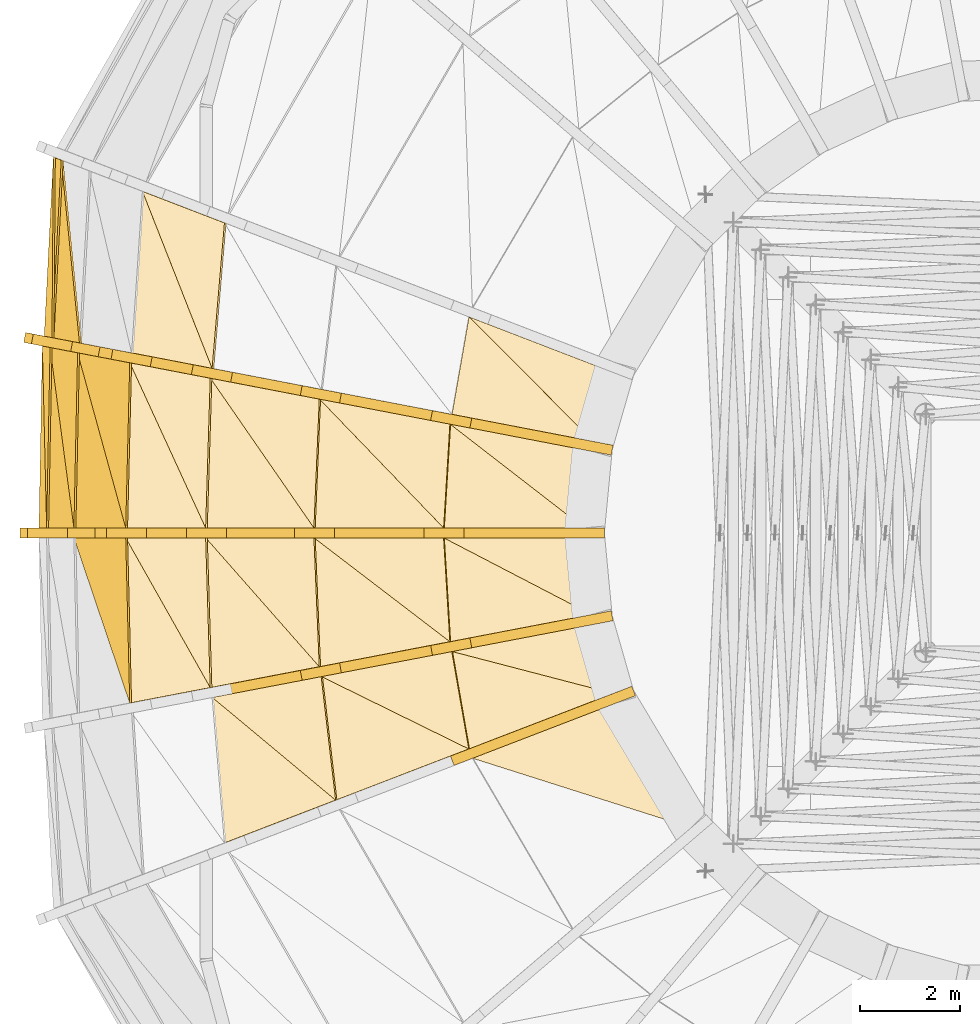
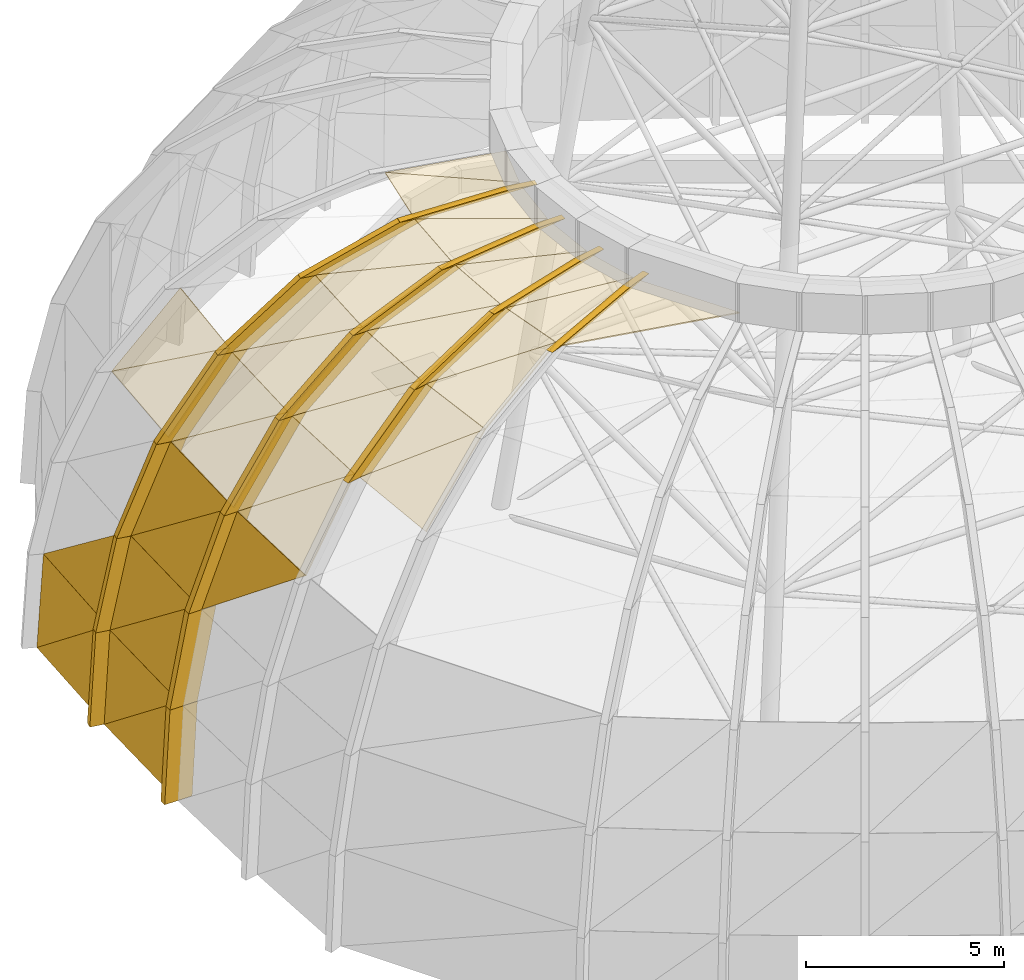
# One storey, part 20 of 27: 37 coverings, 18 shading devices.
"""IFC4 building model written with IfcOpenShell, lengths in metres."""

from ifc_helpers import new_model, si_unit, direction, frame, origin, place, context, subcontext, project, spatial, polyline, outline, extrude, material, layer, layer_set, type_object, element, save


model = new_model("IFC4")

# Units and contexts
model_context = context("Model", 3, precision=1e-05, world=origin(), true_north=direction((0.0, 1.0)))
body_context = subcontext(model_context, "Body", "Model", "MODEL_VIEW")
ifc_project = project(units=[si_unit("LENGTHUNIT", "METRE"), si_unit("AREAUNIT", "SQUARE_METRE"), si_unit("VOLUMEUNIT", "CUBIC_METRE"), si_unit("PLANEANGLEUNIT", "RADIAN"), si_unit("MASSUNIT", "GRAM", prefix="KILO")], contexts=[model_context])

# Site, building, storey
site_placement = place(None, origin())
site = spatial("IfcSite", under=ifc_project, at=site_placement, CompositionType="ELEMENT")
building_placement = place(site_placement, origin())
building = spatial("IfcBuilding", under=site, at=building_placement, Name="Ayvan Gate Tower", CompositionType="ELEMENT")
storey_placement = place(building_placement, frame((0.0, 0.0, 267.699951171875)))
storey = spatial("IfcBuildingStorey", under=building, at=storey_placement, Name="Roof", CompositionType="ELEMENT", Elevation=267.699951171875)

# Shading devices
ifc_material_1 = material(Name="Bronze anodised aluminium", Category="aluminium")
ifc_layer_1 = layer(ifc_material_1, 0.199951171875)
ifc_layer_set_1 = layer_set([ifc_layer_1], Name="Bronze anodised aluminium")
shading_device_type = type_object("IfcShadingDeviceType", Name="Crown frame rib 800 x 200", PredefinedType="USERDEFINED", material=ifc_layer_set_1)
shading_device_1_placement = place(storey_placement, frame((-19.595703125, 3.85986328125, 0.0), z_axis=(0.188275782984, 0.982116057593, 0.000528167227), x_axis=(-0.982116194577, 0.188275809253, -1.5174e-08)))
element("IfcShadingDevice", 1, at=shading_device_1_placement, inside=storey, type_object=shading_device_type, Name="CROWN FRAME rib FD01.4.2", ObjectType="FIN", PredefinedType="USERDEFINED", context=body_context, shape_type="SweptSolid", body=[
    extrude(outline(polyline([(0.0, 0.0), (0.7999550997210519, -1.3552527156068805e-20), (0.6432992665780491, 2.870117597586575), (-0.15689560760456925, 2.870117573305321), (0.0, 0.0)])), origin(), (0.0, 0.0, -1.0), 0.199951171875),
])
shading_device_2_placement = place(storey_placement, frame((-19.441650390625, 3.830322265625, 2.8701171875), z_axis=(0.188303995018, 0.982110625557, 0.000569761316), x_axis=(-0.982110784967, 0.188304025583, 0.0)))
element("IfcShadingDevice", 2, at=shading_device_2_placement, inside=storey, type_object=shading_device_type, Name="CROWN FRAME rib FD02.4.2", ObjectType="FIN", PredefinedType="USERDEFINED", context=body_context, shape_type="SweptSolid", body=[
    extrude(outline(polyline([(0.0, 0.0), (0.7999551000512035, 0.0), (0.24032950694037603, 2.776855919472568), (-0.5596255931108275, 2.776855919472568), (0.0, 0.0)])), origin(), (0.0, 0.0, -1.0), 0.199951171875),
])
shading_device_3_placement = place(storey_placement, frame((-18.89208984375, 3.724853515625, 5.64697265625), z_axis=(0.188303998844, 0.982110645511, 0.000532911113), x_axis=(-0.982110784967, 0.188304025583, 0.0)))
element("IfcShadingDevice", 3, at=shading_device_3_placement, inside=storey, type_object=shading_device_type, Name="CROWN FRAME rib FD03.4.2", ObjectType="FIN", PredefinedType="USERDEFINED", context=body_context, shape_type="SweptSolid", body=[
    extrude(outline(polyline([(0.0, 0.0), (0.7999551000512035, 0.0), (-0.2622832042668157, 2.6601566277346254), (-1.062238304318019, 2.6601566277346254), (0.0, 0.0)])), origin(), (0.0, 0.0, -1.0), 0.199951171875),
])
shading_device_4_placement = place(storey_placement, frame((-17.848876953125, 3.52490234375, 8.30712890625), z_axis=(0.188303983132, 0.982110563566, 0.000671468083), x_axis=(-0.982110784967, 0.188304025583, 0.0)))
element("IfcShadingDevice", 4, at=shading_device_4_placement, inside=storey, type_object=shading_device_type, Name="CROWN FRAME rib FD04.4.2", ObjectType="FIN", PredefinedType="USERDEFINED", context=body_context, shape_type="SweptSolid", body=[
    extrude(outline(polyline([(0.0, 0.0), (0.7999551000512035, 0.0), (-0.8382954064528134, 2.3798833490083324), (-1.638250506504017, 2.3798833490083324), (0.0, 0.0)])), origin(), (0.0, 0.0, -1.0), 0.199951171875),
])
shading_device_5_placement = place(storey_placement, frame((-16.239990234375, 3.21630859375, 10.68701171875), z_axis=(0.188303954244, 0.982110412898, 0.00087045633), x_axis=(-0.982110784967, 0.188304025583, 0.0)))
element("IfcShadingDevice", 5, at=shading_device_5_placement, inside=storey, type_object=shading_device_type, Name="CROWN FRAME rib FD05.4.2", ObjectType="FIN", PredefinedType="USERDEFINED", context=body_context, shape_type="SweptSolid", body=[
    extrude(outline(polyline([(0.0, 0.0), (0.7999551000512035, 0.0), (-1.4190012163026613, 1.8659675037915322), (-2.218956316353865, 1.8659675037915322), (0.0, 0.0)])), origin(), (0.0, 0.0, -1.0), 0.199951171875),
])
shading_device_6_placement = place(storey_placement, frame((-14.060791015625, 2.79833984375, 12.552978515625), z_axis=(0.188275613498, 0.982115173491, 0.001441998497), x_axis=(-0.982116194567, 0.188275809304, -4.1429e-08)))
element("IfcShadingDevice", 6, at=shading_device_6_placement, inside=storey, type_object=shading_device_type, Name="CROWN FRAME rib FD06.4.2", ObjectType="FIN", PredefinedType="USERDEFINED", context=body_context, shape_type="SweptSolid", body=[
    extrude(outline(polyline([(0.0, 0.0), (0.7999550997210524, 0.0), (-1.8562549591046695, 1.1201182751623995), (-2.656449833287286, 1.120118208869889), (0.0, 0.0)])), origin(), (0.0, 0.0, -1.0), 0.199951171875),
])
shading_device_7_placement = place(storey_placement, frame((-11.451904296875, 2.298095703125, 13.673095703125), z_axis=(0.188301439754, 0.982097298427, 0.005240630486), x_axis=(-0.982110784967, 0.188304025583, 0.0)))
element("IfcShadingDevice", 7, at=shading_device_7_placement, inside=storey, type_object=shading_device_type, Name="CROWN FRAME rib FD07.4.2", ObjectType="FIN", PredefinedType="USERDEFINED", context=body_context, shape_type="SweptSolid", body=[
    extrude(outline(polyline([(0.0, 0.0), (0.7999551000512035, -2.168404344971009e-19), (-2.07976428258455, 0.32690878605125406), (-2.8797193826357534, 0.32690878605125406), (0.0, 0.0)])), origin(), (0.0, 0.0, -1.0), 0.199951171875),
])
shading_device_8_placement = place(storey_placement, frame((-19.69384765625, 0.099853515625, 0.0), z_axis=(0.0, 0.999999869757, 0.000510377613), x_axis=(-1.0, 0.0, 0.0)))
element("IfcShadingDevice", 8, at=shading_device_8_placement, inside=storey, type_object=shading_device_type, Name="CROWN FRAME rib FD01.4.3", ObjectType="FIN", PredefinedType="USERDEFINED", context=body_context, shape_type="SweptSolid", body=[
    extrude(outline(polyline([(0.0, 0.0), (0.800048828125, 0.0), (0.647216796875, 2.8701175613117527), (-0.15283203125, 2.8701175613117527), (0.0, 0.0)])), origin(), (0.0, 0.0, -1.0), 0.199951171875),
])
shading_device_9_placement = place(storey_placement, frame((-19.541015625, 0.099853515625, 2.8701171875), z_axis=(0.0, 0.999999860862, 0.000527518829), x_axis=(-1.0, 0.0, 0.0)))
element("IfcShadingDevice", 9, at=shading_device_9_placement, inside=storey, type_object=shading_device_type, Name="CROWN FRAME rib FD02.4.3", ObjectType="FIN", PredefinedType="USERDEFINED", context=body_context, shape_type="SweptSolid", body=[
    extrude(outline(polyline([(0.0, 0.0), (0.800048828125, 0.0), (0.25439453125, 2.7768558551163567), (-0.545654296875, 2.7768558551163567), (0.0, 0.0)])), origin(), (0.0, 0.0, -1.0), 0.199951171875),
])
shading_device_10_placement = place(storey_placement, frame((-18.995361328125, 0.099853515625, 5.64697265625), z_axis=(0.0, 0.999999848386, 0.000550660709), x_axis=(-1.0, 0.0, 0.0)))
element("IfcShadingDevice", 10, at=shading_device_10_placement, inside=storey, type_object=shading_device_type, Name="CROWN FRAME rib FD03.4.3", ObjectType="FIN", PredefinedType="USERDEFINED", context=body_context, shape_type="SweptSolid", body=[
    extrude(outline(polyline([(0.0, 0.0), (0.800048828125, 0.0), (-0.23583984375, 2.6601566533159797), (-1.035888671875, 2.6601566533159797), (0.0, 0.0)])), origin(), (0.0, 0.0, -1.0), 0.199951171875),
])
shading_device_11_placement = place(storey_placement, frame((-17.95947265625, 0.099853515625, 8.30712890625), z_axis=(0.0, 0.999999810573, 0.000615510757), x_axis=(-1.0, 0.0, 0.0)))
element("IfcShadingDevice", 11, at=shading_device_11_placement, inside=storey, type_object=shading_device_type, Name="CROWN FRAME rib FD04.4.3", ObjectType="FIN", PredefinedType="USERDEFINED", context=body_context, shape_type="SweptSolid", body=[
    extrude(outline(polyline([(0.0, 0.0), (0.800048828125, 0.0), (-0.79736328125, 2.3798832633135856), (-1.597412109375, 2.3798832633135856), (0.0, 0.0)])), origin(), (0.0, 0.0, -1.0), 0.199951171875),
])
shading_device_12_placement = place(storey_placement, frame((-16.362060546875, 0.099853515625, 10.68701171875), z_axis=(0.0, 0.999999691862, 0.000785031814), x_axis=(-1.0, 0.0, 0.0)))
element("IfcShadingDevice", 12, at=shading_device_12_placement, inside=storey, type_object=shading_device_type, Name="CROWN FRAME rib FD05.4.3", ObjectType="FIN", PredefinedType="USERDEFINED", context=body_context, shape_type="SweptSolid", body=[
    extrude(outline(polyline([(0.0, 0.0), (0.800048828125, 0.0), (-1.36376953125, 1.8659673718495613), (-2.163818359375, 1.8659673718495613), (0.0, 0.0)])), origin(), (0.0, 0.0, -1.0), 0.199951171875),
])
shading_device_13_placement = place(storey_placement, frame((-14.1982421875, 0.099853515625, 12.552978515625), z_axis=(0.0, 0.999999144884, 0.001307758254), x_axis=(-1.0, 0.0, 0.0)))
element("IfcShadingDevice", 13, at=shading_device_13_placement, inside=storey, type_object=shading_device_type, Name="CROWN FRAME rib FD06.4.3", ObjectType="FIN", PredefinedType="USERDEFINED", context=body_context, shape_type="SweptSolid", body=[
    extrude(outline(polyline([(0.0, 0.0), (0.800048828125, 0.0), (-1.7900390625, 1.1201181453311617), (-2.590087890625, 1.1201181453311617), (0.0, 0.0)])), origin(), (0.0, 0.0, -1.0), 0.199951171875),
])
shading_device_14_placement = place(storey_placement, frame((-11.608154296875, 0.099853515625, 13.673095703125), z_axis=(0.0, 0.999989960668, 0.004480910951), x_axis=(-1.0, 0.0, 0.0)))
element("IfcShadingDevice", 14, at=shading_device_14_placement, inside=storey, type_object=shading_device_type, Name="CROWN FRAME rib FD07.4.3", ObjectType="FIN", PredefinedType="USERDEFINED", context=body_context, shape_type="SweptSolid", body=[
    extrude(outline(polyline([(0.0, 0.0), (0.800048828125, 0.0), (-2.008056640625, 0.326907578808675), (-2.80810546875, 0.326907578808675), (0.0, 0.0)])), origin(), (0.0, 0.0, -1.0), 0.199951171875),
])
shading_device_15_placement = place(storey_placement, frame((-16.277587890625, -3.02001953125, 10.68701171875), z_axis=(-0.188303976666, 0.982110529842, 0.000720794948), x_axis=(-0.982110784967, -0.188304025583, 0.0)))
element("IfcShadingDevice", 15, at=shading_device_15_placement, inside=storey, type_object=shading_device_type, Name="CROWN FRAME rib FD05.4.4", ObjectType="FIN", PredefinedType="USERDEFINED", context=body_context, shape_type="SweptSolid", body=[
    extrude(outline(polyline([(0.0, 0.0), (0.7999551000512035, 1.3552527156068805e-20), (-1.4189290906344345, 1.8659672816023825), (-2.218884190685638, 1.8659672816023825), (0.0, 0.0)])), origin(), (0.0, 0.0, -1.0), 0.199951171875),
])
shading_device_16_placement = place(storey_placement, frame((-14.098388671875, -2.60205078125, 12.552978515625), z_axis=(-0.188303867085, 0.982109958313, 0.001297467895), x_axis=(-0.982110784967, -0.188304025583, 0.0)))
element("IfcShadingDevice", 16, at=shading_device_16_placement, inside=storey, type_object=shading_device_type, Name="CROWN FRAME rib FD06.4.4", ObjectType="FIN", PredefinedType="USERDEFINED", context=body_context, shape_type="SweptSolid", body=[
    extrude(outline(polyline([(0.0, 0.0), (0.7999551000512035, 2.710505431213761e-20), (-1.8564226058112054, 1.1201181303166743), (-2.656377705862409, 1.1201181303166743), (0.0, 0.0)])), origin(), (0.0, 0.0, -1.0), 0.199951171875),
])
shading_device_17_placement = place(storey_placement, frame((-11.489501953125, -2.101806640625, 13.673095703125), z_axis=(-0.188274548656, 0.982109618879, 0.003659348779), x_axis=(-0.982116194651, -0.188275808867, -1.05102e-07)))
element("IfcShadingDevice", 17, at=shading_device_17_placement, inside=storey, type_object=shading_device_type, Name="CROWN FRAME rib FD07.4.4", ObjectType="FIN", PredefinedType="USERDEFINED", context=body_context, shape_type="SweptSolid", body=[
    extrude(outline(polyline([(0.0, 0.0), (0.8001948741826233, 0.0), (-2.079692226502236, 0.3269062670768493), (-2.8796473262232745, 0.32690609889725214), (0.0, 0.0)])), origin(), (0.0, 0.0, -1.0), 0.199951171875),
])
shading_device_18_placement = place(storey_placement, frame((-11.13134765625, -4.179443359375, 13.673095703125), z_axis=(-0.35920237825, 0.933254777136, 0.003028599059), x_axis=(-0.933259057264, -0.359204025638, 0.0)))
element("IfcShadingDevice", 18, at=shading_device_18_placement, inside=storey, type_object=shading_device_type, Name="CROWN FRAME rib FD07.4.5", ObjectType="FIN", PredefinedType="USERDEFINED", context=body_context, shape_type="SweptSolid", body=[
    extrude(outline(polyline([(0.0, 0.0), (0.7999729822484152, -1.0842021724855044e-19), (-2.2896658529203373, 0.3269057961358038), (-3.0896388351687523, 0.3269057961358038), (0.0, 0.0)])), origin(), (0.0, 0.0, -1.0), 0.199951171875),
])

# Coverings
ifc_material_2 = material(Name="Pale metal cladding")
ifc_layer_2 = layer(ifc_material_2, 0.0400390625)
ifc_layer_set_2 = layer_set([ifc_layer_2], Name="Pale metal cladding")
covering_type = type_object("IfcCoveringType", Name="Dome cladding panel 40", PredefinedType="CLADDING", material=ifc_layer_set_2)
covering_1_placement = place(storey_placement, frame((-19.413818359375, -0.1005859375, 5.654296875), z_axis=(-0.931630745456, -0.022648822527, 0.362699855197), x_axis=(0.254432202252, -0.753277399493, 0.60649601307)))
element("IfcCovering", 19, at=covering_1_placement, inside=storey, type_object=covering_type, Name="Dome cladding panel 1.3B", PredefinedType="CLADDING", context=body_context, shape_type="SweptSolid", body=[
    extrude(outline(polyline([(0.0, 0.0), (4.386106738829949, 0.0), (1.8768754786050368, 2.150890352233979), (0.0, 0.0)])), origin(), (0.0, 0.0, -1.0), 0.0400390625),
])
covering_2_placement = place(storey_placement, frame((-18.376220703125, -0.1005859375, 8.318359375), z_axis=(-0.827071304346, -0.020106883849, 0.561737279116), x_axis=(0.024303762651, -0.999704619936, 0.0)))
element("IfcCovering", 20, at=covering_2_placement, inside=storey, type_object=covering_type, Name="Dome cladding panel 1.4A", PredefinedType="CLADDING", context=body_context, shape_type="SweptSolid", body=[
    extrude(outline(polyline([(0.0, 0.0), (3.304931288941286, -6.938893903907228e-18), (3.0355306923281615, 2.8766320752029806), (0.0, 0.0)])), origin(), (0.0, 0.0, -1.0), 0.0400390625),
])
covering_3_placement = place(storey_placement, frame((-18.376220703125, -0.1005859375, 8.318359375), z_axis=(-0.829996714296, -0.025368715287, 0.557191064665), x_axis=(0.403919852189, -0.716244062222, 0.569072224186)))
element("IfcCovering", 21, at=covering_3_placement, inside=storey, type_object=covering_type, Name="Dome cladding panel 1.4B", PredefinedType="CLADDING", context=body_context, shape_type="SweptSolid", body=[
    extrude(outline(polyline([(0.0, 0.0), (4.18204001417405, 2.220446049250313e-16), (1.9996502817602502, 2.0537152784777946), (0.0, 0.0)])), origin(), (0.0, 0.0, -1.0), 0.0400390625),
])
covering_4_placement = place(storey_placement, frame((-16.77490234375, -0.1005859375, 10.7021484375), z_axis=(-0.648083448253, -0.019808565743, 0.761311673905), x_axis=(0.030550571227, -0.999533222358, 0.0)))
element("IfcCovering", 22, at=covering_4_placement, inside=storey, type_object=covering_type, Name="Dome cladding panel 1.5A", PredefinedType="CLADDING", context=body_context, shape_type="SweptSolid", body=[
    extrude(outline(polyline([(0.0, 0.0), (2.9967601487603743, -1.3877787807814457e-17), (2.645562278178148, 2.8778636614189406), (0.0, 0.0)])), origin(), (0.0, 0.0, -1.0), 0.0400390625),
])
covering_5_placement = place(storey_placement, frame((-16.77490234375, -0.1005859375, 10.7021484375), z_axis=(-0.652862846267, -0.027148507105, 0.756989473194), x_axis=(0.580887995354, -0.659330670567, 0.477338667723)))
element("IfcCovering", 23, at=covering_5_placement, inside=storey, type_object=covering_type, Name="Dome cladding panel 1.5B", PredefinedType="CLADDING", context=body_context, shape_type="SweptSolid", body=[
    extrude(outline(polyline([(0.0, 0.0), (3.909104631681632, -1.1102230246251565e-16), (2.147492395563256, 1.8844526786517113), (0.0, 0.0)])), origin(), (0.0, 0.0, -1.0), 0.0400390625),
])
covering_6_placement = place(storey_placement, frame((-14.606201171875, -0.100341796875, 12.5712890625), z_axis=(-0.391858667183, -0.016294965889, 0.919881111362), x_axis=(0.041547876265, -0.999136514185, 0.0)))
element("IfcCovering", 24, at=covering_6_placement, inside=storey, type_object=covering_type, Name="Dome cladding panel 1.6A", PredefinedType="CLADDING", context=body_context, shape_type="SweptSolid", body=[
    extrude(outline(polyline([(0.0, 0.0), (2.5796200434404275, -1.3877787807814457e-17), (2.187947485776792, 2.856004156401276), (0.0, 0.0)])), origin(), (0.0, 0.0, -1.0), 0.0400390625),
])
covering_7_placement = place(storey_placement, frame((-14.6064453125, -0.1005859375, 12.5712890625), z_axis=(-0.396789191533, -0.02397433225, 0.917596626452), x_axis=(0.75486431423, -0.577277123441, 0.311337421223)))
element("IfcCovering", 25, at=covering_7_placement, inside=storey, type_object=covering_type, Name="Dome cladding panel 1.6B", PredefinedType="CLADDING", context=body_context, shape_type="SweptSolid", body=[
    extrude(outline(polyline([(0.0, 0.0), (3.597759572553223, 1.6653345369377348e-16), (2.304083609021769, 1.6296261130976892), (0.0, 0.0)])), origin(), (0.0, 0.0, -1.0), 0.0400390625),
])
covering_8_placement = place(storey_placement, frame((-12.01025390625, -0.100341796875, 13.69287109375), z_axis=(-0.113515758098, -0.006858716312, 0.993512521649), x_axis=(0.060310842502, -0.998179644291, 0.0)))
element("IfcCovering", 26, at=covering_8_placement, inside=storey, type_object=covering_type, Name="Dome cladding panel 1.7A", PredefinedType="CLADDING", context=body_context, shape_type="SweptSolid", body=[
    extrude(outline(polyline([(0.0, 0.0), (2.080691896247236, 0.0), (1.7100239568959106, 2.8745719558276264), (0.0, 0.0)])), origin(), (0.0, 0.0, -1.0), 0.0400390625),
])
covering_9_placement = place(storey_placement, frame((-12.01025390625, -0.100341796875, 13.69287109375), z_axis=(-0.11562664778, -0.010981404506, 0.993232040904), x_axis=(0.883132762212, -0.458829039033, 0.097736570675)))
element("IfcCovering", 27, at=covering_9_placement, inside=storey, type_object=covering_type, Name="Dome cladding panel 1.7B", PredefinedType="CLADDING", context=body_context, shape_type="SweptSolid", body=[
    extrude(outline(polyline([(0.0, 0.0), (3.344748998413575, 1.3877787807814457e-17), (2.5118804441156013, 1.2972198647139994), (0.0, 0.0)])), origin(), (0.0, 0.0, -1.0), 0.0400390625),
])
covering_10_placement = place(storey_placement, frame((-16.6455078125, -3.292724609375, 10.702392578125), z_axis=(-0.630067669272, -0.053478862812, 0.774696549218), x_axis=(0.084573867219, -0.996417212308, 0.0)))
element("IfcCovering", 28, at=covering_10_placement, inside=storey, type_object=covering_type, Name="Dome cladding panel 2.5A", PredefinedType="CLADDING", context=body_context, shape_type="SweptSolid", body=[
    extrude(outline(polyline([(0.0, 0.0), (2.9213552675717223, -2.7755575615628914e-17), (2.256847523374575, 2.9509234081925313), (0.0, 0.0)])), origin(), (0.0, 0.0, -1.0), 0.0400390625),
])
covering_11_placement = place(storey_placement, frame((-16.6455078125, -3.293212890625, 10.702392578125), z_axis=(-0.640243220377, -0.074950987994, 0.764507009883), x_axis=(0.664533626939, -0.553274189597, 0.502277542593)))
element("IfcCovering", 29, at=covering_11_placement, inside=storey, type_object=covering_type, Name="Dome cladding panel 2.5B", PredefinedType="CLADDING", context=body_context, shape_type="SweptSolid", body=[
    extrude(outline(polyline([(0.0, 0.0), (3.7150114003567447, -1.1102230246251565e-16), (2.1541330565201884, 1.9403994364109964), (0.0, 0.0)])), origin(), (0.0, 0.0, -1.0), 0.0400390625),
])
covering_12_placement = place(storey_placement, frame((-14.461181640625, -2.874755859375, 12.571533203125), z_axis=(-0.373445529044, -0.043717934799, 0.926621378457), x_axis=(0.11627241046, -0.993217361188, 0.0)))
element("IfcCovering", 30, at=covering_12_placement, inside=storey, type_object=covering_type, Name="Dome cladding panel 2.6A", PredefinedType="CLADDING", context=body_context, shape_type="SweptSolid", body=[
    extrude(outline(polyline([(0.0, 0.0), (2.4902793371592, 5.551115123125783e-17), (1.7822736088766962, 2.979068567341905), (0.0, 0.0)])), origin(), (0.0, 0.0, -1.0), 0.0400390625),
])
covering_13_placement = place(storey_placement, frame((-14.461181640625, -2.875, 12.5712890625), z_axis=(-0.382801219106, -0.066780475669, 0.92141391064), x_axis=(0.849480093358, -0.417461199948, 0.322660374893)))
element("IfcCovering", 31, at=covering_13_placement, inside=storey, type_object=covering_type, Name="Dome cladding panel 2.6B", PredefinedType="CLADDING", context=body_context, shape_type="SweptSolid", body=[
    extrude(outline(polyline([(0.0, 0.0), (3.4715052564878692, -5.551115123125783e-17), (2.3687822458348813, 1.643188150228133), (0.0, 0.0)])), origin(), (0.0, 0.0, -1.0), 0.0400390625),
])
covering_14_placement = place(storey_placement, frame((-11.846923828125, -2.3740234375, 13.69287109375), z_axis=(-0.10563005911, -0.01842738539, 0.99423474194), x_axis=(0.171856595453, -0.985121977523, 0.0)))
element("IfcCovering", 32, at=covering_14_placement, inside=storey, type_object=covering_type, Name="Dome cladding panel 2.7A", PredefinedType="CLADDING", context=body_context, shape_type="SweptSolid", body=[
    extrude(outline(polyline([(0.0, 0.0), (1.9789050849582814, 0.0), (1.3808281221892824, 3.048759132693032), (0.0, 0.0)])), origin(), (0.0, 0.0, -1.0), 0.0400390625),
])
covering_15_placement = place(storey_placement, frame((-11.846923828125, -2.374267578125, 13.69287109375), z_axis=(-0.108873337324, -0.031142391012, 0.993567686623), x_axis=(0.963102001757, -0.250787296981, 0.097674284659)))
element("IfcCovering", 33, at=covering_15_placement, inside=storey, type_object=covering_type, Name="Dome cladding panel 2.7B", PredefinedType="CLADDING", context=body_context, shape_type="SweptSolid", body=[
    extrude(outline(polyline([(0.0, 0.0), (3.346881914888535, 2.1510571102112408e-16), (2.6196557816466752, 1.2396959625652995), (0.0, 0.0)])), origin(), (0.0, 0.0, -1.0), 0.0400390625),
])
covering_16_placement = place(storey_placement, frame((-11.434814453125, -4.5107421875, 13.69287109375), z_axis=(-0.091692734025, -0.054630602567, 0.994287654449), x_axis=(0.950622926117, -0.302101819857, 0.071067170904)))
element("IfcCovering", 34, at=covering_16_placement, inside=storey, type_object=covering_type, Name="Dome cladding panel 3.7B", PredefinedType="CLADDING", context=body_context, shape_type="SweptSolid", body=[
    extrude(outline(polyline([(0.0, 0.0), (4.599934016148385, -2.6020852139652106e-16), (2.428724761369864, 1.9376445598528358), (0.0, 0.0)])), origin(), (0.0, 0.0, -1.0), 0.0400390625),
])
covering_17_placement = place(storey_placement, frame((-19.82666015625, 7.52099609375, 0.0009765625), z_axis=(-0.997255640464, 0.050596257978, 0.054048184446), x_axis=(-0.050670321335, -0.998715434213, 0.0)))
element("IfcCovering", 35, at=covering_17_placement, inside=storey, type_object=covering_type, Name="Dome cladding panel 29.1A", PredefinedType="CLADDING", context=body_context, shape_type="SweptSolid", body=[
    extrude(outline(polyline([(0.0, 0.0), (3.5895719788530975, -1.734723475976807e-18), (3.6112691455467427, 2.8743184965332125), (0.0, 0.0)])), origin(), (0.0, 0.0, -1.0), 0.0400390625),
])
covering_18_placement = place(storey_placement, frame((-19.82666015625, 7.52099609375, 0.001220703125), z_axis=(-0.99710409807, 0.051851878975, 0.055630928976), x_axis=(-0.006030104085, -0.783120096363, 0.621841259902)))
element("IfcCovering", 36, at=covering_18_placement, inside=storey, type_object=covering_type, Name="Dome cladding panel 29.1B", PredefinedType="CLADDING", context=body_context, shape_type="SweptSolid", body=[
    extrude(outline(polyline([(0.0, 0.0), (4.6155142358236585, 0.0), (1.8312261421822686, 2.216414422219176), (0.0, 0.0)])), origin(), (0.0, 0.0, -1.0), 0.0400390625),
])
covering_19_placement = place(storey_placement, frame((-19.669189453125, 7.46044921875, 2.8740234375), z_axis=(-0.97933117928, 0.050927643245, 0.195746817197), x_axis=(-0.051932301296, -0.998650607611, 0.0)))
element("IfcCovering", 37, at=covering_19_placement, inside=storey, type_object=covering_type, Name="Dome cladding panel 29.2A", PredefinedType="CLADDING", context=body_context, shape_type="SweptSolid", body=[
    extrude(outline(polyline([(0.0, 0.0), (3.558757238055775, 6.938893903907228e-18), (3.635299914243218, 2.831634956372116), (0.0, 0.0)])), origin(), (0.0, 0.0, -1.0), 0.0400390625),
])
covering_20_placement = place(storey_placement, frame((-18.042236328125, 6.83544921875, 8.318359375), z_axis=(-0.823875200914, 0.054978914291, 0.564098371121), x_axis=(-0.066583999971, -0.997780823101, 0.0)))
element("IfcCovering", 38, at=covering_20_placement, inside=storey, type_object=covering_type, Name="Dome cladding panel 29.4A", PredefinedType="CLADDING", context=body_context, shape_type="SweptSolid", body=[
    extrude(outline(polyline([(0.0, 0.0), (3.2413239305643726, 0.0), (3.442106743207913, 2.8822343831980533), (0.0, 0.0)])), origin(), (0.0, 0.0, -1.0), 0.0400390625),
])
covering_21_placement = place(storey_placement, frame((-18.042236328125, 6.835693359375, 8.318603515625), z_axis=(-0.81279146159, 0.068982301168, 0.578456119418), x_axis=(0.310296152143, -0.789118027295, 0.53010285508)))
element("IfcCovering", 39, at=covering_21_placement, inside=storey, type_object=covering_type, Name="Dome cladding panel 29.4B", PredefinedType="CLADDING", context=body_context, shape_type="SweptSolid", body=[
    extrude(outline(polyline([(0.0, 0.0), (4.489473674199065, 0.0), (2.2689112592839367, 1.8986417652625525), (0.0, 0.0)])), origin(), (0.0, 0.0, -1.0), 0.0400390625),
])
covering_22_placement = place(storey_placement, frame((-11.5068359375, 4.323486328125, 13.69287109375), z_axis=(-0.111135786192, 0.019385443297, 0.993616143999), x_axis=(-0.171835711182, -0.9851256206, 0.0)))
element("IfcCovering", 40, at=covering_22_placement, inside=storey, type_object=covering_type, Name="Dome cladding panel 29.7A", PredefinedType="CLADDING", context=body_context, shape_type="SweptSolid", body=[
    extrude(outline(polyline([(0.0, 0.0), (1.9791455936983138, 0.0), (2.027343622269024, 2.89773266891905), (0.0, 0.0)])), origin(), (0.0, 0.0, -1.0), 0.0400390625),
])
covering_23_placement = place(storey_placement, frame((-11.506591796875, 4.323486328125, 13.69287109375), z_axis=(-0.101555463472, 0.029054302061, 0.994405518574), x_axis=(0.703526857964, -0.704631404106, 0.092436705212)))
element("IfcCovering", 41, at=covering_23_placement, inside=storey, type_object=covering_type, Name="Dome cladding panel 29.7B", PredefinedType="CLADDING", context=body_context, shape_type="SweptSolid", body=[
    extrude(outline(polyline([(0.0, 0.0), (3.536520434449037, -1.8041124150158794e-16), (2.8410860758575347, 1.2575374015856646), (0.0, 0.0)])), origin(), (0.0, 0.0, -1.0), 0.0400390625),
])
covering_24_placement = place(storey_placement, frame((-20.046142578125, 3.7392578125, 0.0009765625), z_axis=(-0.998412102144, 0.01862184263, 0.053164849944), x_axis=(-0.018648215882, -0.999826106903, 0.0)))
element("IfcCovering", 42, at=covering_24_placement, inside=storey, type_object=covering_type, Name="Dome cladding panel 30.1A", PredefinedType="CLADDING", context=body_context, shape_type="SweptSolid", body=[
    extrude(outline(polyline([(0.0, 0.0), (3.6395489080570065, 0.0), (3.6366988633445945, 2.8741820013708335), (0.0, 0.0)])), origin(), (0.0, 0.0, -1.0), 0.0400390625),
])
covering_25_placement = place(storey_placement, frame((-20.046142578125, 3.7392578125, 0.0009765625), z_axis=(-0.998375579013, 0.019043690022, 0.053698613582), x_axis=(0.018328901995, -0.785035299507, 0.61917980416)))
element("IfcCovering", 43, at=covering_25_placement, inside=storey, type_object=covering_type, Name="Dome cladding panel 30.1B", PredefinedType="CLADDING", context=body_context, shape_type="SweptSolid", body=[
    extrude(outline(polyline([(0.0, 0.0), (4.635353362976324, 4.440892098500626e-16), (1.8031284807621255, 2.2384883530996738), (0.0, 0.0)])), origin(), (0.0, 0.0, -1.0), 0.0400390625),
])
covering_26_placement = place(storey_placement, frame((-19.891845703125, 3.709716796875, 2.8740234375), z_axis=(-0.981047272473, 0.018713158201, 0.192862818819), x_axis=(-0.019071206175, -0.999818128009, 0.0)))
element("IfcCovering", 44, at=covering_26_placement, inside=storey, type_object=covering_type, Name="Dome cladding panel 30.2A", PredefinedType="CLADDING", context=body_context, shape_type="SweptSolid", body=[
    extrude(outline(polyline([(0.0, 0.0), (3.610031563628789, 0.0), (3.5996206219763476, 2.8299863976149484), (0.0, 0.0)])), origin(), (0.0, 0.0, -1.0), 0.0400390625),
])
covering_27_placement = place(storey_placement, frame((-19.891845703125, 3.709716796875, 2.8740234375), z_axis=(-0.980606024689, 0.020360966789, 0.194928846954), x_axis=(0.104185162066, -0.788266855674, 0.606449351761)))
element("IfcCovering", 45, at=covering_27_placement, inside=storey, type_object=covering_type, Name="Dome cladding panel 30.2B", PredefinedType="CLADDING", context=body_context, shape_type="SweptSolid", body=[
    extrude(outline(polyline([(0.0, 0.0), (4.578874494113484, -4.440892098500626e-16), (1.8244412093636595, 2.1669677938368137), (0.0, 0.0)])), origin(), (0.0, 0.0, -1.0), 0.0400390625),
])
covering_28_placement = place(storey_placement, frame((-19.341064453125, 3.604248046875, 5.654296875), z_axis=(-0.931695396398, 0.019345403298, 0.362725024919), x_axis=(-0.020759182168, -0.999784504959, 0.0)))
element("IfcCovering", 46, at=covering_28_placement, inside=storey, type_object=covering_type, Name="Dome cladding panel 30.3A", PredefinedType="CLADDING", context=body_context, shape_type="SweptSolid", body=[
    extrude(outline(polyline([(0.0, 0.0), (3.5046614871715778, 3.469446951953614e-18), (3.4831623536858793, 2.854562778567229), (0.0, 0.0)])), origin(), (0.0, 0.0, -1.0), 0.0400390625),
])
covering_29_placement = place(storey_placement, frame((-19.341064453125, 3.604248046875, 5.654296875), z_axis=(-0.930154556997, 0.022612934992, 0.366471220247), x_axis=(0.213812369125, -0.778051501442, 0.590694618151)))
element("IfcCovering", 47, at=covering_29_placement, inside=storey, type_object=covering_type, Name="Dome cladding panel 30.3B", PredefinedType="CLADDING", context=body_context, shape_type="SweptSolid", body=[
    extrude(outline(polyline([(0.0, 0.0), (4.503437424780766, 0.0), (1.9499641094560478, 2.0981765541888273), (0.0, 0.0)])), origin(), (0.0, 0.0, -1.0), 0.0400390625),
])
covering_30_placement = place(storey_placement, frame((-18.2958984375, 3.404296875, 8.318359375), z_axis=(-0.830094845565, 0.020180388989, 0.557256941873), x_axis=(-0.024303762651, -0.999704619936, 0.0)))
element("IfcCovering", 48, at=covering_30_placement, inside=storey, type_object=covering_type, Name="Dome cladding panel 30.4A", PredefinedType="CLADDING", context=body_context, shape_type="SweptSolid", body=[
    extrude(outline(polyline([(0.0, 0.0), (3.304931288941286, 0.0), (3.266102230643057, 2.8661542175236576), (0.0, 0.0)])), origin(), (0.0, 0.0, -1.0), 0.0400390625),
])
covering_31_placement = place(storey_placement, frame((-18.2958984375, 3.404296875, 8.318359375), z_axis=(-0.826662738446, 0.025266812855, 0.56213014955), x_axis=(0.349183854652, -0.760338713598, 0.547682094152)))
element("IfcCovering", 49, at=covering_31_placement, inside=storey, type_object=covering_type, Name="Dome cladding panel 30.4B", PredefinedType="CLADDING", context=body_context, shape_type="SweptSolid", body=[
    extrude(outline(polyline([(0.0, 0.0), (4.345372685931576, -2.220446049250313e-16), (2.099852243636919, 1.984492210222835), (0.0, 0.0)])), origin(), (0.0, 0.0, -1.0), 0.0400390625),
])
covering_32_placement = place(storey_placement, frame((-16.683349609375, 3.095703125, 10.7021484375), z_axis=(-0.652973486813, 0.01995802898, 0.75711776006), x_axis=(-0.030550571227, -0.999533222358, 0.0)))
element("IfcCovering", 50, at=covering_32_placement, inside=storey, type_object=covering_type, Name="Dome cladding panel 30.5A", PredefinedType="CLADDING", context=body_context, shape_type="SweptSolid", body=[
    extrude(outline(polyline([(0.0, 0.0), (2.9967601487603743, -1.3877787807814457e-17), (2.9306617204855074, 2.8563116925257326), (0.0, 0.0)])), origin(), (0.0, 0.0, -1.0), 0.0400390625),
])
covering_33_placement = place(storey_placement, frame((-16.683349609375, 3.095703125, 10.7021484375), z_axis=(-0.647187050207, 0.026912486032, 0.761856049487), x_axis=(0.506316317659, -0.731942370844, 0.455965077868)))
element("IfcCovering", 51, at=covering_33_placement, inside=storey, type_object=covering_type, Name="Dome cladding panel 30.5B", PredefinedType="CLADDING", context=body_context, shape_type="SweptSolid", body=[
    extrude(outline(polyline([(0.0, 0.0), (4.0923458559582055, -1.1102230246251565e-16), (2.260108857532586, 1.8158598927560108), (0.0, 0.0)])), origin(), (0.0, 0.0, -1.0), 0.0400390625),
])
covering_34_placement = place(storey_placement, frame((-14.499267578125, 2.677490234375, 12.5712890625), z_axis=(-0.396849223238, 0.016502492091, 0.917735453042), x_axis=(-0.041547876265, -0.999136514185, 0.0)))
element("IfcCovering", 52, at=covering_34_placement, inside=storey, type_object=covering_type, Name="Dome cladding panel 30.6A", PredefinedType="CLADDING", context=body_context, shape_type="SweptSolid", body=[
    extrude(outline(polyline([(0.0, 0.0), (2.5796200434404275, -1.3877787807814457e-17), (2.4719972487213657, 2.820088629796858), (0.0, 0.0)])), origin(), (0.0, 0.0, -1.0), 0.0400390625),
])
covering_35_placement = place(storey_placement, frame((-14.4990234375, 2.677734375, 12.5712890625), z_axis=(-0.390618117046, 0.023598696775, 0.920250285599), x_axis=(0.662146927892, -0.687276090626, 0.298685488661)))
element("IfcCovering", 53, at=covering_35_placement, inside=storey, type_object=covering_type, Name="Dome cladding panel 30.6B", PredefinedType="CLADDING", context=body_context, shape_type="SweptSolid", body=[
    extrude(outline(polyline([(0.0, 0.0), (3.7501560337665314, 2.220446049250313e-16), (2.4056732559075504, 1.5882880721646089), (0.0, 0.0)])), origin(), (0.0, 0.0, -1.0), 0.0400390625),
])
covering_36_placement = place(storey_placement, frame((-11.884765625, 2.17724609375, 13.69287109375), z_axis=(-0.115630798707, 0.006985687651, 0.99326769733), x_axis=(-0.060303779561, -0.998180071015, 0.0)))
element("IfcCovering", 54, at=covering_36_placement, inside=storey, type_object=covering_type, Name="Dome cladding panel 30.7A", PredefinedType="CLADDING", context=body_context, shape_type="SweptSolid", body=[
    extrude(outline(polyline([(0.0, 0.0), (2.0809355925015485, -1.3877787807814457e-17), (1.9115962193311602, 2.8219934301187264), (0.0, 0.0)])), origin(), (0.0, 0.0, -1.0), 0.0400390625),
])
covering_37_placement = place(storey_placement, frame((-11.884765625, 2.17724609375, 13.69287109375), z_axis=(-0.112781974997, 0.010711237524, 0.993562023986), x_axis=(0.787038315899, -0.609403166333, 0.09590865535)))
element("IfcCovering", 55, at=covering_37_placement, inside=storey, type_object=covering_type, Name="Dome cladding panel 30.7B", PredefinedType="CLADDING", context=body_context, shape_type="SweptSolid", body=[
    extrude(outline(polyline([(0.0, 0.0), (3.4084962997477994, 2.42861286636753e-17), (2.587977152048423, 1.3050661800865475), (0.0, 0.0)])), origin(), (0.0, 0.0, -1.0), 0.0400390625),
])

save(model, "model.ifc")
